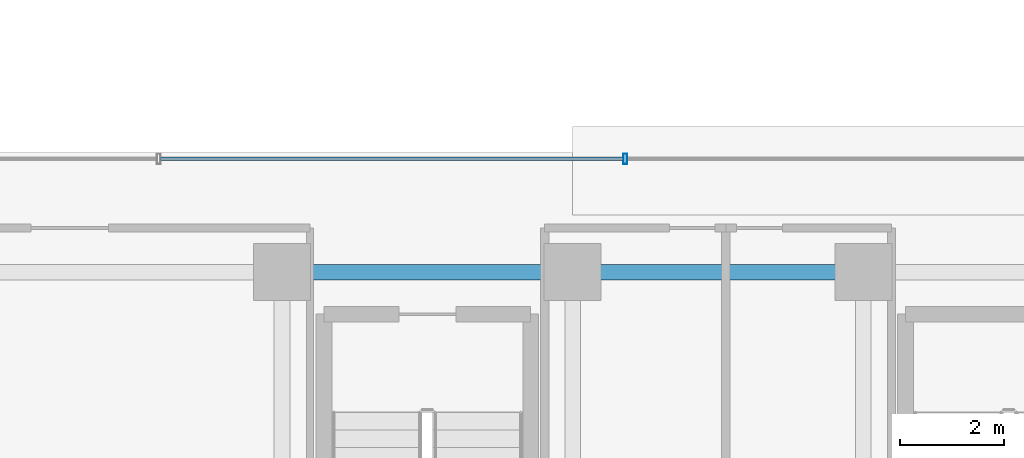
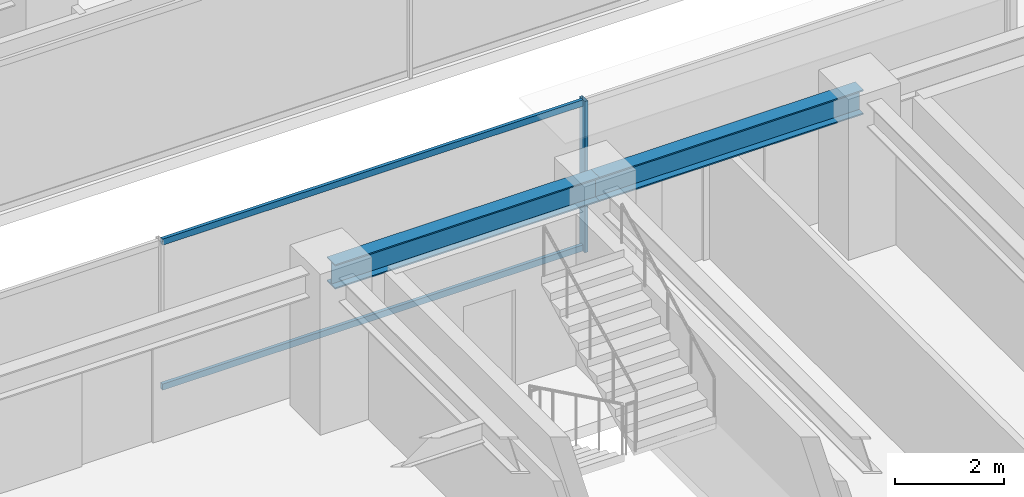
# One storey, part 10 of 37: 3 members, 2 beams, 1 element without a shape of its own.
"""IFC4 building model written with IfcOpenShell, lengths in metres."""

from ifc_helpers import new_model, si_unit, direction, frame, origin, origin_2d, place, context, subcontext, project, spatial, hollow_rectangle, i_section, extrude, source, transform, mapped, material, material_profile, profile_set, type_object, element, aggregate, save


model = new_model("IFC4")

# Units and contexts
model_context = context("Model", 3, precision=1e-05, world=origin(), true_north=direction((0.0, 1.0)))
body_context = subcontext(model_context, "Body", "Model", "MODEL_VIEW")
ifc_project = project(units=[si_unit("LENGTHUNIT", "METRE"), si_unit("AREAUNIT", "SQUARE_METRE"), si_unit("VOLUMEUNIT", "CUBIC_METRE"), si_unit("PLANEANGLEUNIT", "RADIAN"), si_unit("MASSUNIT", "GRAM", prefix="KILO")], contexts=[model_context])

# Site, building, storey
site_placement = place(None, origin())
site = spatial("IfcSite", under=ifc_project, at=site_placement, CompositionType="ELEMENT")
building_placement = place(site_placement, origin())
building = spatial("IfcBuilding", under=site, at=building_placement, Name="Nahalor Promenade Grand Hotel", CompositionType="ELEMENT")
storey_placement = place(building_placement, frame((0.0, 0.0, 167.25)))
storey = spatial("IfcBuildingStorey", under=building, at=storey_placement, Name="L42", CompositionType="ELEMENT", Elevation=167.25)

# Beams
ifc_material_1 = material(Name="Steel S355JR", Category="steel")
ifc_material_profile_1 = material_profile(ifc_material_1, i_section(OverallWidth=0.3, OverallDepth=0.55, WebThickness=0.015, FlangeThickness=0.029, at=origin_2d()), Name="HEB 550")
ifc_profile_set_1 = profile_set([ifc_material_profile_1], Name="Steel S355JR")
beam_type = type_object("IfcBeamType", Name="Beam-Girder-HEB550", PredefinedType="BEAM", material=ifc_profile_set_1)
shared_shape_1 = source(origin(), body_context, "Body", "SweptSolid", [
    extrude(i_section(OverallWidth=0.3, OverallDepth=0.55, WebThickness=0.015, FlangeThickness=0.029, at=origin_2d()), origin(), (0.0, 0.0, 1.0), 5.599853515625),
])
beam_1_placement = place(storey_placement, frame((-8.39990234375, -5.39990234375, 3.114990234375), z_axis=(1.0, 0.0, 0.0), x_axis=(0.0, 1.0, 0.0)))
element("IfcBeam", 1, at=beam_1_placement, inside=storey, type_object=beam_type, Name="BM-L42-GX-1-2", PredefinedType="BEAM", context=body_context, shape_type="MappedRepresentation", body=[
    mapped(shared_shape_1, transform((0.0, 0.0, 0.0), scale=1.0)),
])
shared_shape_2 = source(origin(), body_context, "Body", "SweptSolid", [
    extrude(i_section(OverallWidth=0.3, OverallDepth=0.55, WebThickness=0.015, FlangeThickness=0.029, at=origin_2d()), origin(), (0.0, 0.0, 1.0), 5.60009765625),
])
beam_2_placement = place(storey_placement, frame((-2.800048828125, -5.39990234375, 3.114990234375), z_axis=(1.0, 0.0, 0.0), x_axis=(0.0, 1.0, 0.0)))
element("IfcBeam", 2, at=beam_2_placement, inside=storey, type_object=beam_type, Name="BM-L42-GX-1-3", PredefinedType="BEAM", context=body_context, shape_type="MappedRepresentation", body=[
    mapped(shared_shape_2, transform((0.0, 0.0, 0.0), scale=1.0)),
])

# Curtain wall, members
ifc_material_2 = material(Name="Anodised Bronze Aluminium EN AW-6063 T6", Category="aluminium")
curtain_wall_type = type_object("IfcCurtainWallType", Name="CW3 Elliptical-Void Collar Unitised Curtain Wall", PredefinedType="USERDEFINED", material=ifc_material_2)
curtain_wall_placement = place(storey_placement, origin())
curtain_wall = element("IfcCurtainWall", 3, at=curtain_wall_placement, inside=storey, type_object=curtain_wall_type, Name="L42 Curtain Wall CW-L42-VOID-WS1", ObjectType="UNITISED_CURTAIN_WALL", PredefinedType="USERDEFINED")
ifc_material_profile_2 = material_profile(ifc_material_2, hollow_rectangle(XDim=0.07, YDim=0.14, WallThickness=0.004, at=origin_2d()), Name="CWT 70x140x4")
ifc_profile_set_2 = profile_set([ifc_material_profile_2], Name="Anodised Bronze Aluminium EN AW-6063 T6")
member_type_1 = type_object("IfcMemberType", Name="CWT3 Void Collar Transom 70x140", PredefinedType="USERDEFINED", material=ifc_profile_set_2)
shared_shape_3 = source(origin(), body_context, "Body", "SweptSolid", [
    extrude(hollow_rectangle(XDim=0.07, YDim=0.14, WallThickness=0.004, at=origin_2d()), origin(), (0.0, 0.0, 1.0), 8.91650390625),
])
member_1_placement = place(storey_placement, frame((-10.73828125, -3.219970703125, 0.070068359375), z_axis=(1.0, 0.0, 0.0), x_axis=(0.0, 1.0, 0.0)))
member_1 = element("IfcMember", 4, at=member_1_placement, type_object=member_type_1, Name="CW-L42-VOID-WS1 Transom 1-0", ObjectType="TRANSOM", PredefinedType="USERDEFINED", context=body_context, shape_type="MappedRepresentation", body=[
    mapped(shared_shape_3, transform((0.0, 0.0, 0.0), scale=1.0)),
])
member_2_placement = place(storey_placement, frame((-10.73828125, -3.219970703125, 3.320068359375), z_axis=(1.0, 0.0, 0.0), x_axis=(0.0, 1.0, 0.0)))
member_2 = element("IfcMember", 5, at=member_2_placement, type_object=member_type_1, Name="CW-L42-VOID-WS1 Transom 1-1", ObjectType="TRANSOM", PredefinedType="USERDEFINED", context=body_context, shape_type="MappedRepresentation", body=[
    mapped(shared_shape_3, transform((0.0, 0.0, 0.0), scale=1.0)),
])
ifc_material_profile_3 = material_profile(ifc_material_2, hollow_rectangle(XDim=0.07, YDim=0.2, WallThickness=0.005, at=origin_2d()), Name="CWM 70x200x5")
ifc_profile_set_3 = profile_set([ifc_material_profile_3], Name="Anodised Bronze Aluminium EN AW-6063 T6")
member_type_2 = type_object("IfcMemberType", Name="CWM3 Void Collar Mullion 70x200", PredefinedType="MULLION", material=ifc_profile_set_3)
shared_shape_4 = source(origin(), body_context, "Body", "SweptSolid", [
    extrude(hollow_rectangle(XDim=0.07, YDim=0.2, WallThickness=0.005, at=origin_2d()), origin(), (0.0, 0.0, 1.0), 3.389892578125),
])
member_3_placement = place(storey_placement, frame((-1.78662109375, -3.219970703125, 0.0), z_axis=(0.0, 0.0, 1.0), x_axis=(1.0, 0.0, 0.0)))
member_3 = element("IfcMember", 6, at=member_3_placement, type_object=member_type_2, Name="CW-L42-VOID-WS1 Mullion 2", PredefinedType="MULLION", context=body_context, shape_type="MappedRepresentation", body=[
    mapped(shared_shape_4, transform((0.0, 0.0, 0.0), scale=1.0)),
])
aggregate(curtain_wall, [member_3, member_1, member_2])

save(model, "model.ifc")
